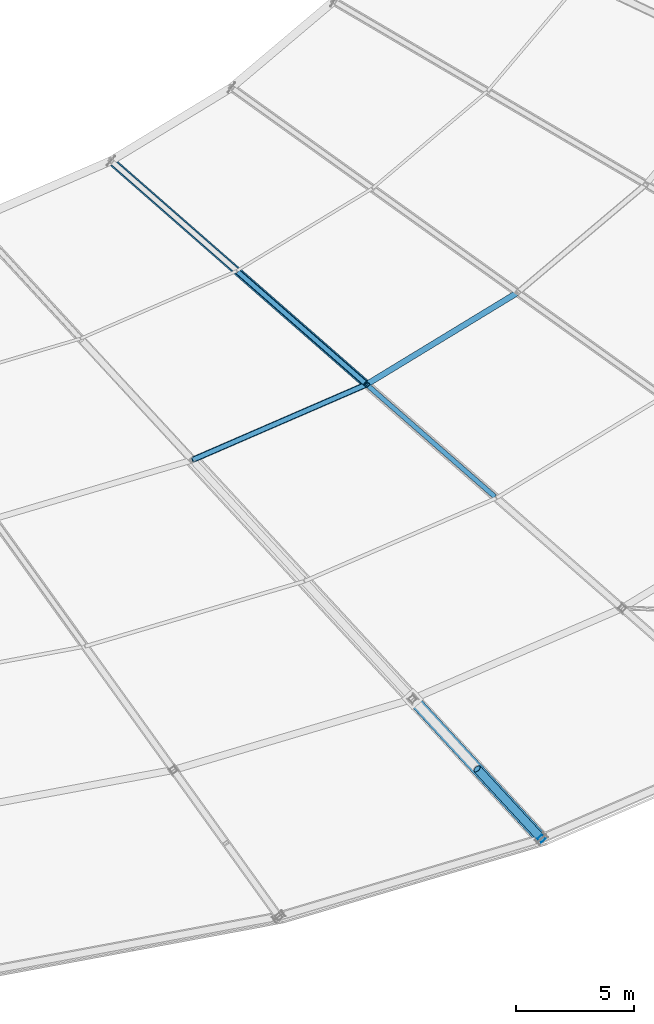
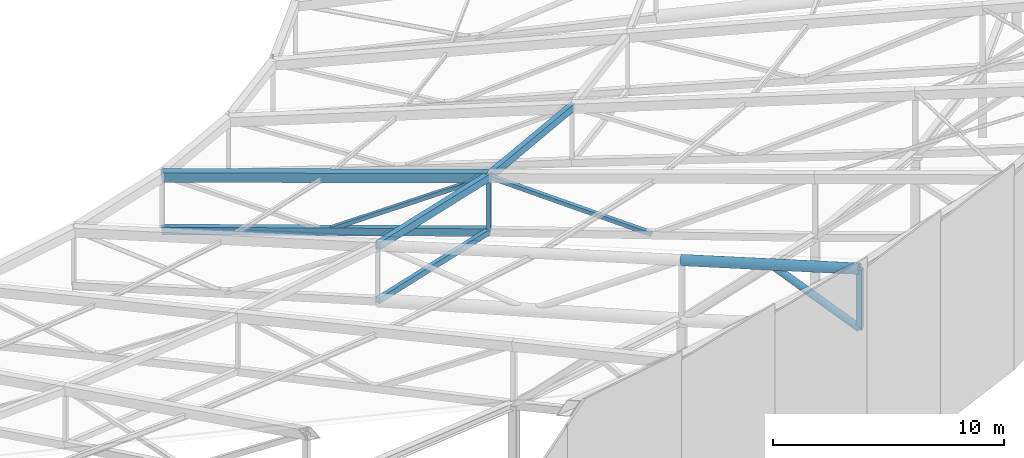
# One storey, part 60 of 143: 6 members, 5 beams.
"""IFC4 building model written with IfcOpenShell, lengths in metres."""

from ifc_helpers import new_model, si_unit, direction, frame, origin, origin_2d, place, context, subcontext, project, spatial, hollow_rectangle, hollow_circle, extrude, material, material_profile, profile_set, type_object, element, save


model = new_model("IFC4")

# Units and contexts
model_context = context("Model", 3, precision=1e-05, world=origin(), true_north=direction((0.0, 1.0)))
body_context = subcontext(model_context, "Body", "Model", "MODEL_VIEW")
ifc_project = project(units=[si_unit("LENGTHUNIT", "METRE"), si_unit("AREAUNIT", "SQUARE_METRE"), si_unit("VOLUMEUNIT", "CUBIC_METRE"), si_unit("PLANEANGLEUNIT", "RADIAN"), si_unit("MASSUNIT", "GRAM", prefix="KILO")], contexts=[model_context])

# Site, building, storey
site_placement = place(None, origin())
site = spatial("IfcSite", under=ifc_project, at=site_placement, CompositionType="ELEMENT")
building_placement = place(site_placement, origin())
building = spatial("IfcBuilding", under=site, at=building_placement, Name="Mphavela Belvedere Stadium", CompositionType="ELEMENT")
storey_placement = place(building_placement, frame((0.0, 0.0, 28.800048828125)))
storey = spatial("IfcBuildingStorey", under=building, at=storey_placement, Name="RF", CompositionType="ELEMENT", Elevation=28.800048828125)

# Beams
ifc_material_1 = material(Name="Steel S355", Category="steel")
ifc_material_profile_1 = material_profile(ifc_material_1, hollow_rectangle(XDim=0.25, YDim=0.39990234375, WallThickness=0.01611328125, at=origin_2d()), Name="RHS 400x250x16")
ifc_profile_set_1 = profile_set([ifc_material_profile_1], Name="Steel S355")
beam_type_1 = type_object("IfcBeamType", Name="BM-RING-MID", PredefinedType="BEAM", material=ifc_profile_set_1)
beam_1_placement = place(storey_placement, frame((161.13427734375, 36.9638671875, 7.941162109375), z_axis=(0.912119141721, 0.395386256728, -0.108205264648), x_axis=(-0.397721448972, 0.917506211983, 0.0)))
element("IfcBeam", 1, at=beam_1_placement, inside=storey, type_object=beam_type_1, Name="Intermediate roof ring beam RB-MID-41", PredefinedType="BEAM", context=body_context, shape_type="SweptSolid", body=[
    extrude(hollow_rectangle(XDim=0.25, YDim=0.39990234375, WallThickness=0.01611328125, at=origin_2d()), origin(), (0.0, 0.0, 1.0), 8.10009765625),
])
beam_2_placement = place(storey_placement, frame((168.5224609375, 40.16650390625, 7.064697265625), z_axis=(0.847674342675, 0.515707335878, -0.124475509606), x_axis=(-0.519749594585, 0.854318651868, 0.0)))
element("IfcBeam", 2, at=beam_2_placement, inside=storey, type_object=beam_type_1, Name="Intermediate roof ring beam RB-MID-42", PredefinedType="BEAM", context=body_context, shape_type="SweptSolid", body=[
    extrude(hollow_rectangle(XDim=0.25, YDim=0.39990234375, WallThickness=0.01611328125, at=origin_2d()), origin(), (0.0, 0.0, 1.0), 7.55517578125),
])
ifc_material_2 = material(Name="Steel S355", Category="steel")
ifc_material_profile_2 = material_profile(ifc_material_2, hollow_rectangle(XDim=0.25, YDim=0.39990234375, WallThickness=0.01611328125, at=origin_2d()), Name="RHS 400x250x16")
ifc_profile_set_2 = profile_set([ifc_material_profile_2], Name="Steel S355")
beam_type_2 = type_object("IfcBeamType", Name="BM-TRUSS-BC2", PredefinedType="BEAM", material=ifc_profile_set_2)
beam_3_placement = place(storey_placement, frame((168.5224609375, 40.16650390625, 4.164794921875), z_axis=(-0.746318226977, 0.653045260603, -0.128611786727), x_axis=(-0.658514209396, -0.752568293263, 0.0)))
element("IfcBeam", 3, at=beam_3_placement, inside=storey, type_object=beam_type_2, Name="Radial roof truss RT-42 bottom chord 3", PredefinedType="BEAM", context=body_context, shape_type="SweptSolid", body=[
    extrude(hollow_rectangle(XDim=0.25, YDim=0.39990234375, WallThickness=0.01611328125, at=origin_2d()), origin(), (0.0, 0.0, 1.0), 14.521728515625),
])
ifc_material_3 = material(Name="Steel S355", Category="steel")
ifc_material_profile_3 = material_profile(ifc_material_3, hollow_circle(Radius=0.25390625, WallThickness=0.02490234375, at=origin_2d()), Name="CHS 508x25")
ifc_profile_set_3 = profile_set([ifc_material_profile_3], Name="Steel S355")
beam_type_3 = type_object("IfcBeamType", Name="BM-TRUSS-TC1", PredefinedType="BEAM", material=ifc_profile_set_3)
beam_4_placement = place(storey_placement, frame((175.9375, 20.90869140625, 11.260986328125), z_axis=(-0.670143034278, 0.726854588835, -0.150302096785), x_axis=(-0.735206448532, -0.67784325477, 0.0)))
element("IfcBeam", 4, at=beam_4_placement, inside=storey, type_object=beam_type_3, Name="Radial roof truss RT-41 top chord 1", PredefinedType="BEAM", context=body_context, shape_type="SweptSolid", body=[
    extrude(hollow_circle(Radius=0.25390625, WallThickness=0.02490234375, at=origin_2d()), origin(), (0.0, 0.0, 1.0), 8.149169921875),
])
ifc_material_4 = material(Name="Steel S355", Category="steel")
ifc_material_profile_4 = material_profile(ifc_material_4, hollow_rectangle(XDim=0.35009765625, YDim=0.5, WallThickness=0.02001953125, at=origin_2d()), Name="RHS 500x350x20")
ifc_profile_set_4 = profile_set([ifc_material_profile_4], Name="Steel S355")
beam_type_4 = type_object("IfcBeamType", Name="BM-TRUSS-TC2", PredefinedType="BEAM", material=ifc_profile_set_4)
beam_5_placement = place(storey_placement, frame((168.5224609375, 40.16650390625, 7.064697265625), z_axis=(-0.74598486536, 0.652753561679, -0.131982454779), x_axis=(-0.658514209396, -0.752568293263, 0.0)))
element("IfcBeam", 5, at=beam_5_placement, inside=storey, type_object=beam_type_4, Name="Radial roof truss RT-42 top chord 3", PredefinedType="BEAM", context=body_context, shape_type="SweptSolid", body=[
    extrude(hollow_rectangle(XDim=0.35009765625, YDim=0.5, WallThickness=0.02001953125, at=origin_2d()), origin(), (0.0, 0.0, 1.0), 14.5283203125),
])

# Members
ifc_material_5 = material(Name="Steel S355", Category="steel")
ifc_material_profile_5 = material_profile(ifc_material_5, hollow_circle(Radius=0.177734375, WallThickness=0.01611328125, at=origin_2d()), Name="CHS 355.6x16")
ifc_profile_set_5 = profile_set([ifc_material_profile_5], Name="Steel S355")
member_type_1 = type_object("IfcMemberType", Name="MEM-DIAG-355", PredefinedType="BRACE", material=ifc_profile_set_5)
member_1_placement = place(storey_placement, frame((175.9375, 20.90869140625, 8.11083984375), z_axis=(-0.573551566915, 0.622061158538, 0.532990164194), x_axis=(-0.735191347118, -0.677859633791, 0.0)))
element("IfcMember", 6, at=member_1_placement, inside=storey, type_object=member_type_1, Name="Radial roof truss RT-41 web diagonal D1", PredefinedType="BRACE", context=body_context, shape_type="SweptSolid", body=[
    extrude(hollow_circle(Radius=0.177734375, WallThickness=0.01611328125, at=origin_2d()), origin(), (0.0, 0.0, 1.0), 4.760986328125),
])
ifc_material_6 = material(Name="Steel S355", Category="steel")
ifc_material_profile_6 = material_profile(ifc_material_6, hollow_rectangle(XDim=0.199951171875, YDim=0.199951171875, WallThickness=0.010009765625, at=origin_2d()), Name="SHS 200x200x10")
ifc_profile_set_6 = profile_set([ifc_material_profile_6], Name="Steel S355")
member_type_2 = type_object("IfcMemberType", Name="MEM-POST-SHS200", PredefinedType="POST", material=ifc_profile_set_6)
member_2_placement = place(storey_placement, frame((168.5224609375, 40.16650390625, 4.164794921875), z_axis=(0.0, 0.0, 1.0), x_axis=(0.752529860433, -0.658558128912, 0.0)))
element("IfcMember", 7, at=member_2_placement, inside=storey, type_object=member_type_2, Name="Radial roof truss RT-42 post P3", PredefinedType="POST", context=body_context, shape_type="SweptSolid", body=[
    extrude(hollow_rectangle(XDim=0.199951171875, YDim=0.199951171875, WallThickness=0.010009765625, at=origin_2d()), origin(), (0.0, 0.0, 1.0), 2.89990234375),
])
member_3_placement = place(storey_placement, frame((173.94140625, 35.4248046875, 4.99853515625), z_axis=(-0.723377197718, 0.632971343219, 0.275812814214), x_axis=(-0.658514209396, -0.752568293263, 0.0)))
element("IfcMember", 8, at=member_3_placement, inside=storey, type_object=member_type_2, Name="Radial roof truss RT-42 web diagonal D4", PredefinedType="POST", context=body_context, shape_type="SweptSolid", body=[
    extrude(hollow_rectangle(XDim=0.199951171875, YDim=0.199951171875, WallThickness=0.010009765625, at=origin_2d()), origin(), (0.0, 0.0, 1.0), 7.4912109375),
])
member_4_placement = place(storey_placement, frame((168.5224609375, 40.16650390625, 7.064697265625), z_axis=(-0.664282779611, 0.58126239618, -0.469960014788), x_axis=(-0.658514209396, -0.752568293263, 0.0)))
element("IfcMember", 9, at=member_4_placement, inside=storey, type_object=member_type_2, Name="Radial roof truss RT-42 web diagonal D5", PredefinedType="POST", context=body_context, shape_type="SweptSolid", body=[
    extrude(hollow_rectangle(XDim=0.199951171875, YDim=0.199951171875, WallThickness=0.010009765625, at=origin_2d()), origin(), (0.0, 0.0, 1.0), 8.157470703125),
])
ifc_material_7 = material(Name="Steel S355", Category="steel")
ifc_material_profile_7 = material_profile(ifc_material_7, hollow_rectangle(XDim=0.25, YDim=0.25, WallThickness=0.012451171875, at=origin_2d()), Name="SHS 250x250x12.5")
ifc_profile_set_7 = profile_set([ifc_material_profile_7], Name="Steel S355")
member_type_3 = type_object("IfcMemberType", Name="MEM-POST-SHS250", PredefinedType="POST", material=ifc_profile_set_7)
member_5_placement = place(storey_placement, frame((175.9375, 20.90869140625, 8.11083984375), z_axis=(0.0, 0.0, 1.0), x_axis=(0.677903094969, -0.735151272753, 0.0)))
element("IfcMember", 10, at=member_5_placement, inside=storey, type_object=member_type_3, Name="Radial roof truss RT-41 post P1", PredefinedType="POST", context=body_context, shape_type="SweptSolid", body=[
    extrude(hollow_rectangle(XDim=0.25, YDim=0.25, WallThickness=0.012451171875, at=origin_2d()), origin(), (0.0, 0.0, 1.0), 3.150146484375),
])
ifc_material_8 = material(Name="Steel S355", Category="steel")
ifc_material_profile_8 = material_profile(ifc_material_8, hollow_rectangle(XDim=0.199951171875, YDim=0.300048828125, WallThickness=0.011962890625, at=origin_2d()), Name="RHS 300x200x12")
ifc_profile_set_8 = profile_set([ifc_material_profile_8], Name="Steel S355")
member_type_4 = type_object("IfcMemberType", Name="MEM-SEC-CHORD", PredefinedType="CHORD", material=ifc_profile_set_8)
member_6_placement = place(storey_placement, frame((161.13427734375, 36.9638671875, 5.041259765625), z_axis=(0.912119141721, 0.395386256728, -0.108205264648), x_axis=(-0.397721448972, 0.917506211983, 0.0)))
element("IfcMember", 11, at=member_6_placement, inside=storey, type_object=member_type_4, Name="Secondary bottom roof tie chord 41", PredefinedType="CHORD", context=body_context, shape_type="SweptSolid", body=[
    extrude(hollow_rectangle(XDim=0.199951171875, YDim=0.300048828125, WallThickness=0.011962890625, at=origin_2d()), origin(), (0.0, 0.0, 1.0), 8.10009765625),
])

save(model, "model.ifc")
